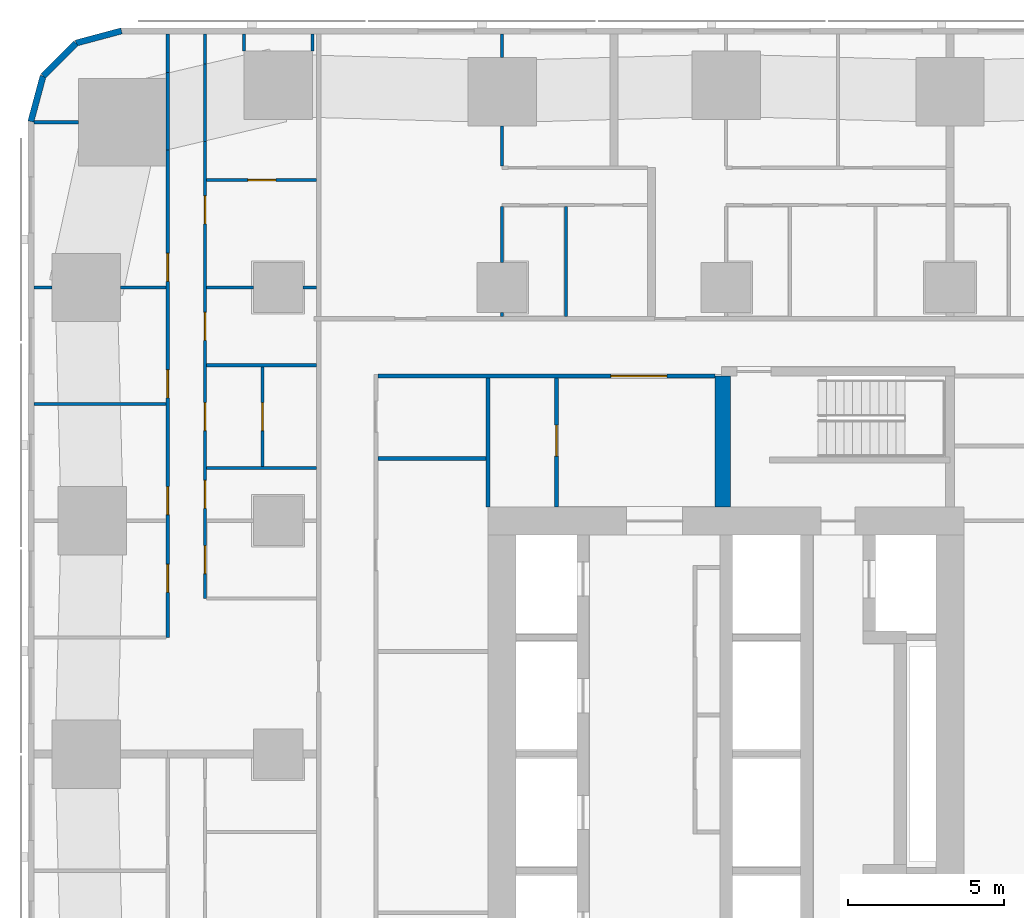
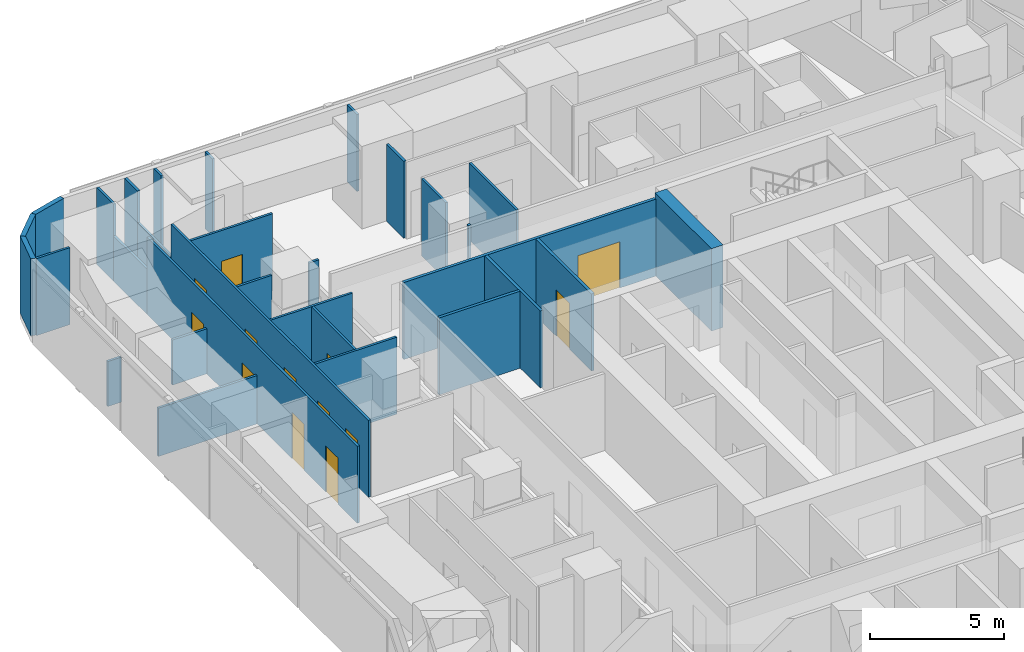
# One storey, part 9 of 17: 31 walls, 13 doors, 13 openings.
"""IFC4 building model written with IfcOpenShell, lengths in metres."""

import ifcopenshell
import ifcopenshell.guid

model = None  # the IFC model being written
_history = None  # IfcOwnerHistory: only IFC2X3 demands one
_inside = {}  # id of a spatial element -> (the spatial element, [elements in it])
_under = {}  # id of a project, library or spatial element -> (it, [spatial elements below it])
_declared = {}  # id of a project -> (the project, [libraries it declares])
_typed = {}  # id of a type object -> (the type object, [elements of that type])
_made_of = {}  # id of a material, layer set ... -> (it, [elements and type objects made of it])


def new_model(schema):
    """Start an empty IFC model of exactly this schema.

    Asked for "IFC4X3", IfcOpenShell would pick the latest addendum, in which some entities
    have other attributes; the version numbers below select the first issue.
    IFC2X3 requires an IfcOwnerHistory on every rooted entity: one is made here for all.
    """
    global model, _history
    if schema == "IFC4X3":
        model = ifcopenshell.file(schema_version=(4, 3, 0, 0))
    else:
        model = ifcopenshell.file(schema=schema)
    _inside.clear()
    _under.clear()
    _declared.clear()
    _typed.clear()
    _made_of.clear()
    _history = None
    if model.schema == "IFC2X3":
        org = make("IfcOrganization", Name="unknown")
        user = make(
            "IfcPersonAndOrganization",
            ThePerson=make("IfcPerson", FamilyName="unknown"),
            TheOrganization=org,
        )
        app = make(
            "IfcApplication",
            ApplicationDeveloper=org,
            Version="unknown",
            ApplicationFullName="unknown",
            ApplicationIdentifier="unknown",
        )
        _history = make(
            "IfcOwnerHistory",
            OwningUser=user,
            OwningApplication=app,
            ChangeAction="ADDED",
            CreationDate=0,
        )
    return model


def make(cls, **values):
    """One entity of the class cls with the attributes given. An attribute that is None is left unset."""
    return model.create_entity(
        cls, **{name: value for name, value in values.items() if value is not None}
    )


def rooted(cls, **values):
    """An entity with a GlobalId (a new one), such as an element, a storey or a relation."""
    return make(cls, GlobalId=ifcopenshell.guid.new(), OwnerHistory=_history, **values)


def si_unit(unit_type, name, prefix=None):
    """IfcSIUnit, for example si_unit("LENGTHUNIT", "METRE", prefix="MILLI")."""
    return make("IfcSIUnit", UnitType=unit_type, Prefix=prefix, Name=name)


def assignment(units):
    """IfcUnitAssignment: the units of a project."""
    return None if units is None else make("IfcUnitAssignment", Units=units)


def point(xyz):
    """IfcCartesianPoint."""
    return None if xyz is None else make("IfcCartesianPoint", Coordinates=xyz)


def direction(xyz):
    """IfcDirection."""
    return None if xyz is None else make("IfcDirection", DirectionRatios=xyz)


def frame(location, z_axis=None, x_axis=None):
    """IfcAxis2Placement3D, a coordinate frame: its origin and axes. An axis left out is left unset."""
    return make(
        "IfcAxis2Placement3D",
        Location=point(location),
        Axis=direction(z_axis),
        RefDirection=direction(x_axis),
    )


def frame_2d(location, x_axis=None):
    """IfcAxis2Placement2D, a coordinate frame in the plane: its origin and x axis."""
    return make(
        "IfcAxis2Placement2D", Location=point(location), RefDirection=direction(x_axis)
    )


def origin():
    """The frame at (0, 0, 0) with its axes left unset."""
    return frame((0.0, 0.0, 0.0))


def place(relative_to, where):
    """IfcLocalPlacement: puts the frame where relative to a parent placement (None: the world)."""
    return make(
        "IfcLocalPlacement", PlacementRelTo=relative_to, RelativePlacement=where
    )


def context(
    kind, dimensions, precision=None, world=None, true_north=None, identifier=None
):
    """IfcGeometricRepresentationContext, for example the 3D "Model" context."""
    return make(
        "IfcGeometricRepresentationContext",
        ContextIdentifier=identifier,
        ContextType=kind,
        CoordinateSpaceDimension=dimensions,
        Precision=precision,
        WorldCoordinateSystem=world,
        TrueNorth=true_north,
    )


def subcontext(parent, identifier, kind, view, scale=None):
    """IfcGeometricRepresentationSubContext, for example "Body" below "Model"."""
    return make(
        "IfcGeometricRepresentationSubContext",
        ContextIdentifier=identifier,
        ContextType=kind,
        ParentContext=parent,
        TargetScale=scale,
        TargetView=view,
    )


def project(units=None, contexts=None):
    """IfcProject with its units and contexts."""
    return rooted(
        "IfcProject",
        Name="project",
        RepresentationContexts=contexts,
        UnitsInContext=assignment(units),
    )


def spatial(cls, under=None, at=None, **own):
    """A site, building, storey or space (cls), placed at a placement, below another one or the project."""
    s = rooted(cls, ObjectPlacement=at, **own)
    if under is not None:
        _under.setdefault(under.id(), (under, []))[1].append(s)
    return s


def profile(cls, at=None, kind="AREA", **sizes):
    """A parametric profile (cls). Its sizes go by their IFC names, for example OverallWidth=200.0."""
    return make(cls, ProfileType=kind, Position=at, **sizes)


def rectangle(**sizes):
    """IfcRectangleProfileDef."""
    return profile("IfcRectangleProfileDef", **sizes)


def extrude(swept, where, along, depth):
    """IfcExtrudedAreaSolid: the profile swept, set in the frame where, extruded along a direction by depth."""
    return make(
        "IfcExtrudedAreaSolid",
        SweptArea=swept,
        Position=where,
        ExtrudedDirection=direction(along),
        Depth=depth,
    )


def shape(context_of_items, identifier, shape_type, items):
    """IfcShapeRepresentation: the items that make up one representation, for example the "Body"."""
    return make(
        "IfcShapeRepresentation",
        ContextOfItems=context_of_items,
        RepresentationIdentifier=identifier,
        RepresentationType=shape_type,
        Items=items,
    )


def material(Name=None, Category=None):
    """IfcMaterial."""
    return make("IfcMaterial", Name=Name, Category=Category)


def layer(
    of_material, thickness, ventilated=None, Name=None, Category=None, Priority=None
):
    """IfcMaterialLayer: one layer of a wall or slab, of a material (None: an air gap)."""
    return make(
        "IfcMaterialLayer",
        Material=of_material,
        LayerThickness=thickness,
        IsVentilated=ventilated,
        Name=Name,
        Category=Category,
        Priority=Priority,
    )


def layer_set(layers, Name=None):
    """IfcMaterialLayerSet."""
    return make("IfcMaterialLayerSet", MaterialLayers=layers, LayerSetName=Name)


def made_of(thing, what):
    """Note that an element or type object is made of a material, layer set ...; save() writes the relation."""
    if what is not None:
        _made_of.setdefault(what.id(), (what, []))[1].append(thing)
    return thing


def type_object(cls, material=None, **own):
    """A type object (cls), such as IfcWallType, which elements share."""
    return made_of(rooted(cls, **own), material)


def element(
    cls,
    number,
    at=None,
    inside=None,
    cuts=None,
    type_object=None,
    material=None,
    context=None,
    identifier="Body",
    shape_type=None,
    held_by="IfcProductDefinitionShape",
    body=None,
    shapes=None,
    **own,
):
    """One element of the class cls, such as IfcWall. Its Tag is "e" and its number.

    at: its placement. inside: the storey or other place that contains it. cuts: it is an
    opening in that element (IfcRelVoidsElement). A single representation is given by context,
    identifier, shape_type and body (its items); several are given by shapes. held_by: the class
    of the entity that holds the representations. save() writes the other relations.
    """
    e = rooted(cls, Tag="e%d" % number, ObjectPlacement=at, **own)
    if body is not None:
        shapes = [shape(context, identifier, shape_type, body)]
    if shapes is not None:
        e.Representation = make(held_by, Representations=shapes)
    if inside is not None:
        _inside.setdefault(inside.id(), (inside, []))[1].append(e)
    if cuts is not None:
        rooted(
            "IfcRelVoidsElement", RelatingBuildingElement=cuts, RelatedOpeningElement=e
        )
    if type_object is not None:
        _typed.setdefault(type_object.id(), (type_object, []))[1].append(e)
    return made_of(e, material)


def fill(opening, filler):
    """IfcRelFillsElement: the door or window that sits in an opening."""
    return rooted(
        "IfcRelFillsElement",
        RelatingOpeningElement=opening,
        RelatedBuildingElement=filler,
    )


def aggregate(whole, parts):
    """IfcRelAggregates: a whole, such as a stair, and the parts it consists of."""
    return rooted("IfcRelAggregates", RelatingObject=whole, RelatedObjects=parts)


def save(model, path):
    """Write the relations noted so far, then the file.

    IfcRelAggregates (storeys below a building ...), IfcRelContainedInSpatialStructure (elements
    in a storey), IfcRelDefinesByType, IfcRelAssociatesMaterial and IfcRelDeclares: one each for
    every whole, place, type object, material and project.
    """
    for whole, parts in _under.values():
        aggregate(whole, parts)
    for where, things in _inside.values():
        rooted(
            "IfcRelContainedInSpatialStructure",
            RelatedElements=things,
            RelatingStructure=where,
        )
    for kind, things in _typed.values():
        rooted("IfcRelDefinesByType", RelatedObjects=things, RelatingType=kind)
    for what, things in _made_of.values():
        rooted("IfcRelAssociatesMaterial", RelatedObjects=things, RelatingMaterial=what)
    for by, libraries in _declared.values():
        rooted("IfcRelDeclares", RelatingContext=by, RelatedDefinitions=libraries)
    model.write(path)


model = new_model("IFC4")

# Units and contexts
model_context = context("Model", 3, precision=1e-05, world=origin(), true_north=direction((0.0, 1.0)))
body_context = subcontext(model_context, "Body", "Model", "MODEL_VIEW")
ifc_project = project(units=[si_unit("LENGTHUNIT", "METRE"), si_unit("AREAUNIT", "SQUARE_METRE"), si_unit("VOLUMEUNIT", "CUBIC_METRE"), si_unit("PLANEANGLEUNIT", "RADIAN"), si_unit("MASSUNIT", "GRAM", prefix="KILO")], contexts=[model_context])

# Site, building, storey
site_placement = place(None, origin())
site = spatial("IfcSite", under=ifc_project, at=site_placement, CompositionType="ELEMENT")
building_placement = place(site_placement, origin())
building = spatial("IfcBuilding", under=site, at=building_placement, Name="Sheger Commons Tower", CompositionType="ELEMENT")
storey_placement = place(building_placement, frame((0.0, 0.0, 119.14990234375)))
storey = spatial("IfcBuildingStorey", under=building, at=storey_placement, Name="L30", CompositionType="ELEMENT", Elevation=119.14990234375)

# Walls
ifc_material_1 = material(Name="Rendered concrete block masonry, dark grey", Category="masonry")
ifc_layer_1 = layer(ifc_material_1, 0.199951171875)
ifc_layer_set_1 = layer_set([ifc_layer_1], Name="FACADE WALL 200")
wall_type_1 = type_object("IfcWallType", Name="FACADE WALL 200", PredefinedType="SOLIDWALL", material=ifc_layer_set_1)
wall_1_placement = place(storey_placement, frame((2.1630859375, 45.75, 0.0), z_axis=(0.0, 0.0, 1.0), x_axis=(-0.965832000415, -0.259168954497, 0.0)))
element("IfcWall", 1, at=wall_1_placement, inside=storey, type_object=wall_type_1, Name="Facade wall L30", PredefinedType="SOLIDWALL", context=body_context, shape_type="SweptSolid", body=[
    extrude(rectangle(XDim=1.512939453125, YDim=0.199951171875, at=frame_2d((0.75634765625, 0.0))), origin(), (0.0, 0.0, 1.0), 3.5),
])
wall_2_placement = place(storey_placement, frame((0.701904296875, 45.35791015625, 0.0), z_axis=(0.0, 0.0, 1.0), x_axis=(-0.707106781187, -0.707106781187, 0.0)))
element("IfcWall", 2, at=wall_2_placement, inside=storey, type_object=wall_type_1, Name="Facade wall L30", PredefinedType="SOLIDWALL", context=body_context, shape_type="SweptSolid", body=[
    extrude(rectangle(XDim=1.498779296875, YDim=0.199951171875, at=frame_2d((0.74951171875, 0.0))), origin(), (0.0, 0.0, 1.0), 3.5),
])
wall_3_placement = place(storey_placement, frame((-0.35791015625, 44.298095703125, 0.0), z_axis=(0.0, 0.0, 1.0), x_axis=(-0.259168954497, -0.965832000415, 0.0)))
element("IfcWall", 3, at=wall_3_placement, inside=storey, type_object=wall_type_1, Name="Facade wall L30", PredefinedType="SOLIDWALL", context=body_context, shape_type="SweptSolid", body=[
    extrude(rectangle(XDim=1.512939453125, YDim=0.199951171875, at=frame_2d((0.75634765625, 0.0))), origin(), (0.0, 0.0, 1.0), 3.5),
])
ifc_material_2 = material(Name="Gypsum board on steel studs", Category="steel")
ifc_layer_2 = layer(ifc_material_2, 0.10009765625)
ifc_layer_set_2 = layer_set([ifc_layer_2], Name="PARTITION 100")
wall_type_2 = type_object("IfcWallType", Name="PARTITION 100", PredefinedType="PARTITIONING", material=ifc_layer_set_2)
for number, where, z_axis, x_axis, name in (
    (4, (6.10009765625, 45.10009765625, 0.0), (0.0, 0.0, 1.0), (0.0, 1.0, 0.0), "Partition L30"),
    (5, (8.300048828125, 45.64990234375, 0.0), (0.0, 0.0, 1.0), (0.0, -1.0, 0.0), "Partition L30"),
):
    element("IfcWall", number, at=place(storey_placement, frame(where, z_axis=z_axis, x_axis=x_axis)), inside=storey, type_object=wall_type_2, Name=name, PredefinedType="PARTITIONING", context=body_context, shape_type="SweptSolid", body=[
        extrude(rectangle(XDim=0.5498046875, YDim=0.10009765625, at=frame_2d((0.27490234375, 0.0))), origin(), (0.0, 0.0, 1.0), 3.5),
    ])

# Wall, openings, doors
wall_4_placement = place(storey_placement, frame((3.64990234375, 26.25, 0.0), z_axis=(0.0, 0.0, 1.0), x_axis=(0.0, 1.0, 0.0)))
wall_4 = element("IfcWall", 6, at=wall_4_placement, inside=storey, type_object=wall_type_2, Name="Partition L30", PredefinedType="PARTITIONING", context=body_context, shape_type="SweptSolid", body=[
    extrude(rectangle(XDim=15.6650390625, YDim=0.10009765625, at=frame_2d((7.83251953125, 0.0))), origin(), (0.0, 0.0, 1.0), 3.5),
])
opening_1_placement = place(wall_4_placement, frame((1.448974609375, 0.0, 0.0)))
opening_1 = element("IfcOpeningElement", 7, at=opening_1_placement, cuts=wall_4, Name="Opening D2", PredefinedType="OPENING", context=body_context, shape_type="SweptSolid", body=[
    extrude(rectangle(XDim=0.89990234375, YDim=2.10009765625, at=frame_2d((0.449951171875, 1.050048828125))), frame((0.0, 0.06005859375, 0.0), z_axis=(0.0, -1.0, 0.0), x_axis=(1.0, 0.0, 0.0)), (0.0, 0.0, 1.0), 0.1201171875),
])
opening_2_placement = place(wall_4_placement, frame((3.949951171875, 0.0, 0.0)))
opening_2 = element("IfcOpeningElement", 8, at=opening_2_placement, cuts=wall_4, Name="Opening D2", PredefinedType="OPENING", context=body_context, shape_type="SweptSolid", body=[
    extrude(rectangle(XDim=0.89990234375, YDim=2.10009765625, at=frame_2d((0.449951171875, 1.050048828125))), frame((0.0, 0.06005859375, 0.0), z_axis=(0.0, -1.0, 0.0), x_axis=(1.0, 0.0, 0.0)), (0.0, 0.0, 1.0), 0.1201171875),
])
opening_3_placement = place(wall_4_placement, frame((7.699951171875, 0.0, 0.0)))
opening_3 = element("IfcOpeningElement", 9, at=opening_3_placement, cuts=wall_4, Name="Opening D2", PredefinedType="OPENING", context=body_context, shape_type="SweptSolid", body=[
    extrude(rectangle(XDim=0.89990234375, YDim=2.10009765625, at=frame_2d((0.449951171875, 1.050048828125))), frame((0.0, 0.06005859375, 0.0), z_axis=(0.0, -1.0, 0.0), x_axis=(1.0, 0.0, 0.0)), (0.0, 0.0, 1.0), 0.1201171875),
])
opening_4_placement = place(wall_4_placement, frame((11.449951171875, 0.0, 0.0)))
opening_4 = element("IfcOpeningElement", 10, at=opening_4_placement, cuts=wall_4, Name="Opening D2", PredefinedType="OPENING", context=body_context, shape_type="SweptSolid", body=[
    extrude(rectangle(XDim=0.89990234375, YDim=2.10009765625, at=frame_2d((0.449951171875, 1.050048828125))), frame((0.0, 0.06005859375, 0.0), z_axis=(0.0, -1.0, 0.0), x_axis=(1.0, 0.0, 0.0)), (0.0, 0.0, 1.0), 0.1201171875),
])
ifc_material_3 = material(Name="Timber door set", Category="wood")
door_type_1 = type_object("IfcDoorType", Name="INTERNAL DOOR 900x2100", OperationType="NOTDEFINED", PredefinedType="DOOR", material=ifc_material_3)
door_1_placement = place(opening_1_placement, origin())
door_1 = element("IfcDoor", 11, at=door_1_placement, inside=storey, type_object=door_type_1, Name="Main bedroom door", OperationType="SINGLE_SWING_LEFT", OverallHeight=2.10009765625, OverallWidth=0.89990234375, PredefinedType="DOOR", context=body_context, shape_type="SweptSolid", body=[
    extrude(rectangle(XDim=0.89990234375, YDim=2.10009765625, at=frame_2d((0.449951171875, 1.050048828125))), frame((0.0, 0.02490234375, 0.0), z_axis=(0.0, -1.0, 0.0), x_axis=(1.0, 0.0, 0.0)), (0.0, 0.0, 1.0), 0.050048828125),
])
fill(opening_1, door_1)
door_2_placement = place(opening_2_placement, origin())
door_2 = element("IfcDoor", 12, at=door_2_placement, inside=storey, type_object=door_type_1, Name="Bedroom 2 door", OperationType="SINGLE_SWING_LEFT", OverallHeight=2.10009765625, OverallWidth=0.89990234375, PredefinedType="DOOR", context=body_context, shape_type="SweptSolid", body=[
    extrude(rectangle(XDim=0.89990234375, YDim=2.10009765625, at=frame_2d((0.449951171875, 1.050048828125))), frame((0.0, 0.02490234375, 0.0), z_axis=(0.0, -1.0, 0.0), x_axis=(1.0, 0.0, 0.0)), (0.0, 0.0, 1.0), 0.050048828125),
])
fill(opening_2, door_2)
door_3_placement = place(opening_3_placement, origin())
door_3 = element("IfcDoor", 13, at=door_3_placement, inside=storey, type_object=door_type_1, Name="Bedroom 3 door", OperationType="SINGLE_SWING_LEFT", OverallHeight=2.10009765625, OverallWidth=0.89990234375, PredefinedType="DOOR", context=body_context, shape_type="SweptSolid", body=[
    extrude(rectangle(XDim=0.89990234375, YDim=2.10009765625, at=frame_2d((0.449951171875, 1.050048828125))), frame((0.0, 0.02490234375, 0.0), z_axis=(0.0, -1.0, 0.0), x_axis=(1.0, 0.0, 0.0)), (0.0, 0.0, 1.0), 0.050048828125),
])
fill(opening_3, door_3)
door_4_placement = place(opening_4_placement, origin())
door_4 = element("IfcDoor", 14, at=door_4_placement, inside=storey, type_object=door_type_1, Name="Bedroom 4 door", OperationType="SINGLE_SWING_LEFT", OverallHeight=2.10009765625, OverallWidth=0.89990234375, PredefinedType="DOOR", context=body_context, shape_type="SweptSolid", body=[
    extrude(rectangle(XDim=0.89990234375, YDim=2.10009765625, at=frame_2d((0.449951171875, 1.050048828125))), frame((0.0, 0.02490234375, 0.0), z_axis=(0.0, -1.0, 0.0), x_axis=(1.0, 0.0, 0.0)), (0.0, 0.0, 1.0), 0.050048828125),
])
fill(opening_4, door_4)

# Walls
wall_5_placement = place(storey_placement, frame((3.64990234375, 41.9150390625, 0.0), z_axis=(0.0, 0.0, 1.0), x_axis=(0.0, 1.0, 0.0)))
element("IfcWall", 15, at=wall_5_placement, inside=storey, type_object=wall_type_2, Name="Partition L30", PredefinedType="PARTITIONING", context=body_context, shape_type="SweptSolid", body=[
    extrude(rectangle(XDim=2.489990234375, YDim=0.10009765625, at=frame_2d((1.2451171875, 0.0))), origin(), (0.0, 0.0, 1.0), 2.050048828125),
])
wall_6_placement = place(storey_placement, frame((3.64990234375, 44.405029296875, 0.0), z_axis=(0.0, 0.0, 1.0), x_axis=(0.0, 1.0, 0.0)))
element("IfcWall", 16, at=wall_6_placement, inside=storey, type_object=wall_type_2, Name="Partition L30", PredefinedType="PARTITIONING", context=body_context, shape_type="SweptSolid", body=[
    extrude(rectangle(XDim=1.244873046875, YDim=0.10009765625, at=frame_2d((0.62255859375, 0.0))), origin(), (0.0, 0.0, 1.0), 3.5),
])

# Wall, openings, doors
wall_7_placement = place(storey_placement, frame((4.85009765625, 27.4990234375, 0.0), z_axis=(0.0, 0.0, 1.0), x_axis=(0.0, 1.0, 0.0)))
wall_7 = element("IfcWall", 17, at=wall_7_placement, inside=storey, type_object=wall_type_2, Name="Partition L30", PredefinedType="PARTITIONING", context=body_context, shape_type="SweptSolid", body=[
    extrude(rectangle(XDim=14.699951171875, YDim=0.10009765625, at=frame_2d((7.35009765625, 0.0))), origin(), (0.0, 0.0, 1.0), 3.5),
])
opening_5_placement = place(wall_7_placement, frame((0.800048828125, 0.0, 0.0)))
opening_5 = element("IfcOpeningElement", 18, at=opening_5_placement, cuts=wall_7, Name="Opening D2", PredefinedType="OPENING", context=body_context, shape_type="SweptSolid", body=[
    extrude(rectangle(XDim=0.89990234375, YDim=2.10009765625, at=frame_2d((0.449951171875, 1.050048828125))), frame((0.0, 0.06005859375, 0.0), z_axis=(0.0, -1.0, 0.0), x_axis=(1.0, 0.0, 0.0)), (0.0, 0.0, 1.0), 0.1201171875),
])
opening_6_placement = place(wall_7_placement, frame((2.90087890625, 0.0, 0.0)))
opening_6 = element("IfcOpeningElement", 19, at=opening_6_placement, cuts=wall_7, Name="Opening D2", PredefinedType="OPENING", context=body_context, shape_type="SweptSolid", body=[
    extrude(rectangle(XDim=0.89990234375, YDim=2.10009765625, at=frame_2d((0.449951171875, 1.050048828125))), frame((0.0, 0.06005859375, 0.0), z_axis=(0.0, -1.0, 0.0), x_axis=(1.0, 0.0, 0.0)), (0.0, 0.0, 1.0), 0.1201171875),
])
opening_7_placement = place(wall_7_placement, frame((8.300048828125, 0.0, 0.0)))
opening_7 = element("IfcOpeningElement", 20, at=opening_7_placement, cuts=wall_7, Name="Opening D2", PredefinedType="OPENING", context=body_context, shape_type="SweptSolid", body=[
    extrude(rectangle(XDim=0.89990234375, YDim=2.10009765625, at=frame_2d((0.449951171875, 1.050048828125))), frame((0.0, 0.06005859375, 0.0), z_axis=(0.0, -1.0, 0.0), x_axis=(1.0, 0.0, 0.0)), (0.0, 0.0, 1.0), 0.1201171875),
])
opening_8_placement = place(wall_7_placement, frame((12.050048828125, 0.0, 0.0)))
opening_8 = element("IfcOpeningElement", 21, at=opening_8_placement, cuts=wall_7, Name="Opening D2", PredefinedType="OPENING", context=body_context, shape_type="SweptSolid", body=[
    extrude(rectangle(XDim=0.89990234375, YDim=2.10009765625, at=frame_2d((0.449951171875, 1.050048828125))), frame((0.0, 0.06005859375, 0.0), z_axis=(0.0, -1.0, 0.0), x_axis=(1.0, 0.0, 0.0)), (0.0, 0.0, 1.0), 0.1201171875),
])
opening_9_placement = place(wall_7_placement, frame((5.39990234375, 0.0, 0.0)))
opening_9 = element("IfcOpeningElement", 22, at=opening_9_placement, cuts=wall_7, Name="Opening D2", PredefinedType="OPENING", context=body_context, shape_type="SweptSolid", body=[
    extrude(rectangle(XDim=0.89990234375, YDim=2.10009765625, at=frame_2d((0.449951171875, 1.050048828125))), frame((0.0, 0.06005859375, 0.0), z_axis=(0.0, -1.0, 0.0), x_axis=(1.0, 0.0, 0.0)), (0.0, 0.0, 1.0), 0.1201171875),
])
door_5_placement = place(opening_5_placement, origin())
door_5 = element("IfcDoor", 23, at=door_5_placement, inside=storey, type_object=door_type_1, Name="Bathroom door", OperationType="SINGLE_SWING_RIGHT", OverallHeight=2.10009765625, OverallWidth=0.89990234375, PredefinedType="DOOR", context=body_context, shape_type="SweptSolid", body=[
    extrude(rectangle(XDim=0.89990234375, YDim=2.10009765625, at=frame_2d((0.449951171875, 1.050048828125))), frame((0.0, 0.02490234375, 0.0), z_axis=(0.0, -1.0, 0.0), x_axis=(1.0, 0.0, 0.0)), (0.0, 0.0, 1.0), 0.050048828125),
])
fill(opening_5, door_5)
door_6_placement = place(opening_6_placement, origin())
door_6 = element("IfcDoor", 24, at=door_6_placement, inside=storey, type_object=door_type_1, Name="Laundry room door", OperationType="SINGLE_SWING_LEFT", OverallHeight=2.10009765625, OverallWidth=0.89990234375, PredefinedType="DOOR", context=body_context, shape_type="SweptSolid", body=[
    extrude(rectangle(XDim=0.89990234375, YDim=2.10009765625, at=frame_2d((0.449951171875, 1.050048828125))), frame((0.0, 0.02490234375, 0.0), z_axis=(0.0, -1.0, 0.0), x_axis=(1.0, 0.0, 0.0)), (0.0, 0.0, 1.0), 0.050048828125),
])
fill(opening_6, door_6)
door_7_placement = place(opening_7_placement, origin())
door_7 = element("IfcDoor", 25, at=door_7_placement, inside=storey, type_object=door_type_1, Name="Store and laundry door", OperationType="SINGLE_SWING_LEFT", OverallHeight=2.10009765625, OverallWidth=0.89990234375, PredefinedType="DOOR", context=body_context, shape_type="SweptSolid", body=[
    extrude(rectangle(XDim=0.89990234375, YDim=2.10009765625, at=frame_2d((0.449951171875, 1.050048828125))), frame((0.0, 0.02490234375, 0.0), z_axis=(0.0, -1.0, 0.0), x_axis=(1.0, 0.0, 0.0)), (0.0, 0.0, 1.0), 0.050048828125),
])
fill(opening_7, door_7)
door_8_placement = place(opening_8_placement, origin())
door_8 = element("IfcDoor", 26, at=door_8_placement, inside=storey, type_object=door_type_1, Name="Store and laundry door", OperationType="SINGLE_SWING_LEFT", OverallHeight=2.10009765625, OverallWidth=0.89990234375, PredefinedType="DOOR", context=body_context, shape_type="SweptSolid", body=[
    extrude(rectangle(XDim=0.89990234375, YDim=2.10009765625, at=frame_2d((0.449951171875, 1.050048828125))), frame((0.0, 0.02490234375, 0.0), z_axis=(0.0, -1.0, 0.0), x_axis=(1.0, 0.0, 0.0)), (0.0, 0.0, 1.0), 0.050048828125),
])
fill(opening_8, door_8)
door_9_placement = place(opening_9_placement, origin())
door_9 = element("IfcDoor", 27, at=door_9_placement, inside=storey, type_object=door_type_1, Name="Store door", OperationType="SINGLE_SWING_RIGHT", OverallHeight=2.10009765625, OverallWidth=0.89990234375, PredefinedType="DOOR", context=body_context, shape_type="SweptSolid", body=[
    extrude(rectangle(XDim=0.89990234375, YDim=2.10009765625, at=frame_2d((0.449951171875, 1.050048828125))), frame((0.0, 0.02490234375, 0.0), z_axis=(0.0, -1.0, 0.0), x_axis=(1.0, 0.0, 0.0)), (0.0, 0.0, 1.0), 0.050048828125),
])
fill(opening_9, door_9)

# Walls
wall_8_placement = place(storey_placement, frame((4.85009765625, 42.198974609375, 0.0), z_axis=(0.0, 0.0, 1.0), x_axis=(0.0, 1.0, 0.0)))
element("IfcWall", 28, at=wall_8_placement, inside=storey, type_object=wall_type_2, Name="Partition L30", PredefinedType="PARTITIONING", context=body_context, shape_type="SweptSolid", body=[
    extrude(rectangle(XDim=2.489990234375, YDim=0.10009765625, at=frame_2d((1.2451171875, 0.0))), origin(), (0.0, 0.0, 1.0), 2.050048828125),
])
wall_9_placement = place(storey_placement, frame((4.85009765625, 44.68896484375, 0.0), z_axis=(0.0, 0.0, 1.0), x_axis=(0.0, 1.0, 0.0)))
element("IfcWall", 29, at=wall_9_placement, inside=storey, type_object=wall_type_2, Name="Partition L30", PredefinedType="PARTITIONING", context=body_context, shape_type="SweptSolid", body=[
    extrude(rectangle(XDim=0.9609375, YDim=0.10009765625, at=frame_2d((0.48046875, 0.0))), origin(), (0.0, 0.0, 1.0), 3.5),
])
wall_10_placement = place(storey_placement, frame((-0.64990234375, 33.75, 0.0), z_axis=(0.0, 0.0, 1.0), x_axis=(1.0, 0.0, 0.0)))
element("IfcWall", 30, at=wall_10_placement, inside=storey, type_object=wall_type_2, Name="Partition L30", PredefinedType="PARTITIONING", context=body_context, shape_type="SweptSolid", body=[
    extrude(rectangle(XDim=4.25, YDim=0.10009765625, at=frame_2d((2.125, 0.0))), origin(), (0.0, 0.0, 1.0), 2.2001953125),
])
wall_11_placement = place(storey_placement, frame((-0.64990234375, 37.5, 0.0), z_axis=(0.0, 0.0, 1.0), x_axis=(1.0, 0.0, 0.0)))
element("IfcWall", 31, at=wall_11_placement, inside=storey, type_object=wall_type_2, Name="Partition L30", PredefinedType="PARTITIONING", context=body_context, shape_type="SweptSolid", body=[
    extrude(rectangle(XDim=0.573974609375, YDim=0.10009765625, at=frame_2d((0.287109375, 0.0))), origin(), (0.0, 0.0, 1.0), 2.050048828125),
])
wall_12_placement = place(storey_placement, frame((2.1259765625, 37.5, 0.0), z_axis=(0.0, 0.0, 1.0), x_axis=(1.0, 0.0, 0.0)))
element("IfcWall", 32, at=wall_12_placement, inside=storey, type_object=wall_type_2, Name="Partition L30", PredefinedType="PARTITIONING", context=body_context, shape_type="SweptSolid", body=[
    extrude(rectangle(XDim=1.47412109375, YDim=0.10009765625, at=frame_2d((0.737060546875, 0.0))), origin(), (0.0, 0.0, 1.0), 2.050048828125),
])
wall_13_placement = place(storey_placement, frame((-0.64990234375, 42.81396484375, 0.0), z_axis=(0.0, 0.0, 1.0), x_axis=(1.0, 0.0, 0.0)))
element("IfcWall", 33, at=wall_13_placement, inside=storey, type_object=wall_type_2, Name="Partition L30", PredefinedType="PARTITIONING", context=body_context, shape_type="SweptSolid", body=[
    extrude(rectangle(XDim=1.434814453125, YDim=0.10009765625, at=frame_2d((0.71728515625, 0.0))), origin(), (0.0, 0.0, 1.0), 3.5),
])
wall_14_placement = place(storey_placement, frame((4.89990234375, 34.9990234375, 0.0), z_axis=(0.0, 0.0, 1.0), x_axis=(1.0, 0.0, 0.0)))
element("IfcWall", 34, at=wall_14_placement, inside=storey, type_object=wall_type_2, Name="Partition L30", PredefinedType="PARTITIONING", context=body_context, shape_type="SweptSolid", body=[
    extrude(rectangle(XDim=3.525146484375, YDim=0.10009765625, at=frame_2d((1.7626953125, 0.0))), origin(), (0.0, 0.0, 1.0), 3.5),
])
wall_15_placement = place(storey_placement, frame((4.89990234375, 37.5, 0.0), z_axis=(0.0, 0.0, 1.0), x_axis=(1.0, 0.0, 0.0)))
element("IfcWall", 35, at=wall_15_placement, inside=storey, type_object=wall_type_2, Name="Partition L30", PredefinedType="PARTITIONING", context=body_context, shape_type="SweptSolid", body=[
    extrude(rectangle(XDim=1.4990234375, YDim=0.10009765625, at=frame_2d((0.74951171875, 0.0))), origin(), (0.0, 0.0, 1.0), 3.5),
])
wall_16_placement = place(storey_placement, frame((8.0009765625, 37.5, 0.0), z_axis=(0.0, 0.0, 1.0), x_axis=(1.0, 0.0, 0.0)))
element("IfcWall", 36, at=wall_16_placement, inside=storey, type_object=wall_type_2, Name="Partition L30", PredefinedType="PARTITIONING", context=body_context, shape_type="SweptSolid", body=[
    extrude(rectangle(XDim=0.424072265625, YDim=0.10009765625, at=frame_2d((0.2119140625, 0.0))), origin(), (0.0, 0.0, 1.0), 3.5),
])
wall_17_placement = place(storey_placement, frame((4.89990234375, 31.699951171875, 0.0), z_axis=(0.0, 0.0, 1.0), x_axis=(1.0, 0.0, 0.0)))
element("IfcWall", 37, at=wall_17_placement, inside=storey, type_object=wall_type_2, Name="Partition L30", PredefinedType="PARTITIONING", context=body_context, shape_type="SweptSolid", body=[
    extrude(rectangle(XDim=3.525146484375, YDim=0.10009765625, at=frame_2d((1.7626953125, 0.0))), origin(), (0.0, 0.0, 1.0), 3.5),
])
wall_18_placement = place(storey_placement, frame((14.39990234375, 41.39990234375, 0.0), z_axis=(0.0, 0.0, 1.0), x_axis=(0.0, 1.0, 0.0)))
element("IfcWall", 38, at=wall_18_placement, inside=storey, type_object=wall_type_2, Name="Partition L30", PredefinedType="PARTITIONING", context=body_context, shape_type="SweptSolid", body=[
    extrude(rectangle(XDim=1.299072265625, YDim=0.10009765625, at=frame_2d((0.6494140625, 0.0))), origin(), (0.0, 0.0, 1.0), 3.5),
])
wall_19_placement = place(storey_placement, frame((14.39990234375, 44.90087890625, 0.0), z_axis=(0.0, 0.0, 1.0), x_axis=(0.0, 1.0, 0.0)))
element("IfcWall", 39, at=wall_19_placement, inside=storey, type_object=wall_type_2, Name="Partition L30", PredefinedType="PARTITIONING", context=body_context, shape_type="SweptSolid", body=[
    extrude(rectangle(XDim=0.7490234375, YDim=0.10009765625, at=frame_2d((0.37451171875, 0.0))), origin(), (0.0, 0.0, 1.0), 3.5),
])
wall_20_placement = place(storey_placement, frame((14.39990234375, 36.574951171875, 0.0), z_axis=(0.0, 0.0, 1.0), x_axis=(0.0, 1.0, 0.0)))
element("IfcWall", 40, at=wall_20_placement, inside=storey, type_object=wall_type_2, Name="Partition L30", PredefinedType="PARTITIONING", context=body_context, shape_type="SweptSolid", body=[
    extrude(rectangle(XDim=0.1240234375, YDim=0.10009765625, at=frame_2d((0.06201171875, 0.0))), origin(), (0.0, 0.0, 1.0), 3.5),
])
wall_21_placement = place(storey_placement, frame((14.39990234375, 38.301025390625, 0.0), z_axis=(0.0, 0.0, 1.0), x_axis=(0.0, 1.0, 0.0)))
element("IfcWall", 41, at=wall_21_placement, inside=storey, type_object=wall_type_2, Name="Partition L30", PredefinedType="PARTITIONING", context=body_context, shape_type="SweptSolid", body=[
    extrude(rectangle(XDim=1.799072265625, YDim=0.10009765625, at=frame_2d((0.8994140625, 0.0))), origin(), (0.0, 0.0, 1.0), 3.5),
])
wall_22_placement = place(storey_placement, frame((16.449951171875, 36.574951171875, 0.0), z_axis=(0.0, 0.0, 1.0), x_axis=(0.0, 1.0, 0.0)))
element("IfcWall", 42, at=wall_22_placement, inside=storey, type_object=wall_type_2, Name="Partition L30", PredefinedType="PARTITIONING", context=body_context, shape_type="SweptSolid", body=[
    extrude(rectangle(XDim=3.525146484375, YDim=0.10009765625, at=frame_2d((1.7626953125, 0.0))), origin(), (0.0, 0.0, 1.0), 3.5),
])

# Wall, opening, door
wall_23_placement = place(storey_placement, frame((6.699951171875, 31.75, 0.0), z_axis=(0.0, 0.0, 1.0), x_axis=(0.0, 1.0, 0.0)))
wall_23 = element("IfcWall", 43, at=wall_23_placement, inside=storey, type_object=wall_type_2, Name="Partition L30", PredefinedType="PARTITIONING", context=body_context, shape_type="SweptSolid", body=[
    extrude(rectangle(XDim=3.198974609375, YDim=0.10009765625, at=frame_2d((1.599609375, 0.0))), origin(), (0.0, 0.0, 1.0), 3.5),
])
opening_10_placement = place(wall_23_placement, frame((1.14892578125, 0.0, 0.0)))
opening_10 = element("IfcOpeningElement", 44, at=opening_10_placement, cuts=wall_23, Name="Opening D2", PredefinedType="OPENING", context=body_context, shape_type="SweptSolid", body=[
    extrude(rectangle(XDim=0.89990234375, YDim=2.10009765625, at=frame_2d((0.449951171875, 1.050048828125))), frame((0.0, 0.06005859375, 0.0), z_axis=(0.0, -1.0, 0.0), x_axis=(1.0, 0.0, 0.0)), (0.0, 0.0, 1.0), 0.1201171875),
])
door_10_placement = place(opening_10_placement, origin())
door_10 = element("IfcDoor", 45, at=door_10_placement, inside=storey, type_object=door_type_1, Name="Store door", OperationType="SINGLE_SWING_RIGHT", OverallHeight=2.10009765625, OverallWidth=0.89990234375, PredefinedType="DOOR", context=body_context, shape_type="SweptSolid", body=[
    extrude(rectangle(XDim=0.89990234375, YDim=2.10009765625, at=frame_2d((0.449951171875, 1.050048828125))), frame((0.0, 0.02490234375, 0.0), z_axis=(0.0, -1.0, 0.0), x_axis=(1.0, 0.0, 0.0)), (0.0, 0.0, 1.0), 0.050048828125),
])
fill(opening_10, door_10)

wall_24_placement = place(storey_placement, frame((8.425048828125, 40.949951171875, 0.0), z_axis=(0.0, 0.0, 1.0), x_axis=(-1.0, 0.0, 0.0)))
wall_24 = element("IfcWall", 46, at=wall_24_placement, inside=storey, type_object=wall_type_2, Name="Partition L30", PredefinedType="PARTITIONING", context=body_context, shape_type="SweptSolid", body=[
    extrude(rectangle(XDim=3.525146484375, YDim=0.10009765625, at=frame_2d((1.7626953125, 0.0))), origin(), (0.0, 0.0, 1.0), 3.5),
])
opening_11_placement = place(wall_24_placement, frame((1.300048828125, 0.0, 0.0)))
opening_11 = element("IfcOpeningElement", 47, at=opening_11_placement, cuts=wall_24, Name="Opening D2", PredefinedType="OPENING", context=body_context, shape_type="SweptSolid", body=[
    extrude(rectangle(XDim=0.89990234375, YDim=2.10009765625, at=frame_2d((0.449951171875, 1.050048828125))), frame((0.0, 0.06005859375, 0.0), z_axis=(0.0, -1.0, 0.0), x_axis=(1.0, 0.0, 0.0)), (0.0, 0.0, 1.0), 0.1201171875),
])
door_11_placement = place(opening_11_placement, origin())
door_11 = element("IfcDoor", 48, at=door_11_placement, inside=storey, type_object=door_type_1, Name="Store door", OperationType="SINGLE_SWING_RIGHT", OverallHeight=2.10009765625, OverallWidth=0.89990234375, PredefinedType="DOOR", context=body_context, shape_type="SweptSolid", body=[
    extrude(rectangle(XDim=0.89990234375, YDim=2.10009765625, at=frame_2d((0.449951171875, 1.050048828125))), frame((0.0, 0.02490234375, 0.0), z_axis=(0.0, -1.0, 0.0), x_axis=(1.0, 0.0, 0.0)), (0.0, 0.0, 1.0), 0.050048828125),
])
fill(opening_11, door_11)

# Walls
ifc_material_4 = material(Name="Gypsum board on steel studs, two layers each side, fire rated", Category="steel")
ifc_layer_3 = layer(ifc_material_4, 0.125)
ifc_layer_set_3 = layer_set([ifc_layer_3], Name="SERVICE WALL 125")
wall_type_3 = type_object("IfcWallType", Name="SERVICE WALL 125", PredefinedType="PARTITIONING", material=ifc_layer_set_3)
wall_25_placement = place(storey_placement, frame((10.4130859375, 32.0, 0.0), z_axis=(0.0, 0.0, 1.0), x_axis=(1.0, 0.0, 0.0)))
element("IfcWall", 49, at=wall_25_placement, inside=storey, type_object=wall_type_3, Name="Service room wall L30", PredefinedType="PARTITIONING", context=body_context, shape_type="SweptSolid", body=[
    extrude(rectangle(XDim=3.474853515625, YDim=0.125, at=frame_2d((1.7373046875, 0.0))), origin(), (0.0, 0.0, 1.0), 3.5),
])
wall_26_placement = place(storey_placement, frame((13.949951171875, 30.449951171875, 0.0), z_axis=(0.0, 0.0, 1.0), x_axis=(0.0, 1.0, 0.0)))
element("IfcWall", 50, at=wall_26_placement, inside=storey, type_object=wall_type_3, Name="Service room wall L30", PredefinedType="PARTITIONING", context=body_context, shape_type="SweptSolid", body=[
    extrude(rectangle(XDim=4.136962890625, YDim=0.125, at=frame_2d((2.068359375, 0.0))), origin(), (0.0, 0.0, 1.0), 3.5),
])

# Wall, opening, door
wall_27_placement = place(storey_placement, frame((10.4130859375, 34.64990234375, 0.0), z_axis=(0.0, 0.0, 1.0), x_axis=(1.0, 0.0, 0.0)))
wall_27 = element("IfcWall", 51, at=wall_27_placement, inside=storey, type_object=wall_type_3, Name="Service room wall L30", PredefinedType="PARTITIONING", context=body_context, shape_type="SweptSolid", body=[
    extrude(rectangle(XDim=10.8369140625, YDim=0.125, at=frame_2d((5.41845703125, 0.0))), origin(), (0.0, 0.0, 1.0), 3.5),
])
opening_12_placement = place(wall_27_placement, frame((7.487060546875, 0.0, 0.0)))
opening_12 = element("IfcOpeningElement", 52, at=opening_12_placement, cuts=wall_27, Name="Opening D6", PredefinedType="OPENING", context=body_context, shape_type="SweptSolid", body=[
    extrude(rectangle(XDim=1.800048828125, YDim=2.10009765625, at=frame_2d((0.89990234375, 1.050048828125))), frame((0.0, 0.072509765625, 0.0), z_axis=(0.0, -1.0, 0.0), x_axis=(1.0, 0.0, 0.0)), (0.0, 0.0, 1.0), 0.14501953125),
])
ifc_material_5 = material(Name="Steel door set, fire rated", Category="steel")
door_type_2 = type_object("IfcDoorType", Name="LOBBY DOUBLE DOOR 1800x2100", OperationType="DOUBLE_DOOR_SINGLE_SWING", PredefinedType="DOOR", material=ifc_material_5)
door_12_placement = place(opening_12_placement, origin())
door_12 = element("IfcDoor", 53, at=door_12_placement, inside=storey, type_object=door_type_2, Name="Lift lobby north door", OperationType="DOUBLE_DOOR_SINGLE_SWING", OverallHeight=2.10009765625, OverallWidth=1.800048828125, PredefinedType="DOOR", context=body_context, shape_type="SweptSolid", body=[
    extrude(rectangle(XDim=1.800048828125, YDim=2.10009765625, at=frame_2d((0.89990234375, 1.050048828125))), frame((0.0, 0.02490234375, 0.0), z_axis=(0.0, -1.0, 0.0), x_axis=(1.0, 0.0, 0.0)), (0.0, 0.0, 1.0), 0.050048828125),
])
fill(opening_12, door_12)

wall_28_placement = place(storey_placement, frame((16.14990234375, 30.449951171875, 0.0), z_axis=(0.0, 0.0, 1.0), x_axis=(0.0, 1.0, 0.0)))
wall_28 = element("IfcWall", 54, at=wall_28_placement, inside=storey, type_object=wall_type_3, Name="Service room wall L30", PredefinedType="PARTITIONING", context=body_context, shape_type="SweptSolid", body=[
    extrude(rectangle(XDim=4.136962890625, YDim=0.125, at=frame_2d((2.068359375, 0.0))), origin(), (0.0, 0.0, 1.0), 3.5),
])
opening_13_placement = place(wall_28_placement, frame((1.625, 0.0, 0.0)))
opening_13 = element("IfcOpeningElement", 55, at=opening_13_placement, cuts=wall_28, Name="Opening D4", PredefinedType="OPENING", context=body_context, shape_type="SweptSolid", body=[
    extrude(rectangle(XDim=1.0, YDim=2.10009765625, at=frame_2d((0.5, 1.050048828125))), frame((0.0, 0.072509765625, 0.0), z_axis=(0.0, -1.0, 0.0), x_axis=(1.0, 0.0, 0.0)), (0.0, 0.0, 1.0), 0.14501953125),
])
ifc_material_6 = material(Name="Steel door set, fire rated", Category="steel")
door_type_3 = type_object("IfcDoorType", Name="SERVICE DOOR 1000x2100", OperationType="NOTDEFINED", PredefinedType="DOOR", material=ifc_material_6)
door_13_placement = place(opening_13_placement, origin())
door_13 = element("IfcDoor", 56, at=door_13_placement, inside=storey, type_object=door_type_3, Name="Telecom room door", OperationType="SINGLE_SWING_RIGHT", OverallHeight=2.10009765625, OverallWidth=1.0, PredefinedType="DOOR", context=body_context, shape_type="SweptSolid", body=[
    extrude(rectangle(XDim=1.0, YDim=2.10009765625, at=frame_2d((0.5, 1.050048828125))), frame((0.0, 0.02490234375, 0.0), z_axis=(0.0, -1.0, 0.0), x_axis=(1.0, 0.0, 0.0)), (0.0, 0.0, 1.0), 0.050048828125),
])
fill(opening_13, door_13)

# Wall
ifc_material_7 = material(Name="Concrete C50/60", Category="concrete")
ifc_layer_4 = layer(ifc_material_7, 0.5)
ifc_layer_set_4 = layer_set([ifc_layer_4], Name="STAIR CORE WALL 500")
wall_type_4 = type_object("IfcWallType", Name="STAIR CORE WALL 500", PredefinedType="SHEAR", material=ifc_layer_set_4)
wall_29_placement = place(storey_placement, frame((21.5, 30.449951171875, 0.0), z_axis=(0.0, 0.0, 1.0), x_axis=(0.0, 1.0, 0.0)))
element("IfcWall", 57, at=wall_29_placement, inside=storey, type_object=wall_type_4, Name="STW-L30-S2W", PredefinedType="SHEAR", context=body_context, shape_type="SweptSolid", body=[
    extrude(rectangle(XDim=4.199951171875, YDim=0.5, at=frame_2d((2.10009765625, 0.0))), origin(), (0.0, 0.0, 1.0), 3.75),
])

save(model, "model.ifc")
